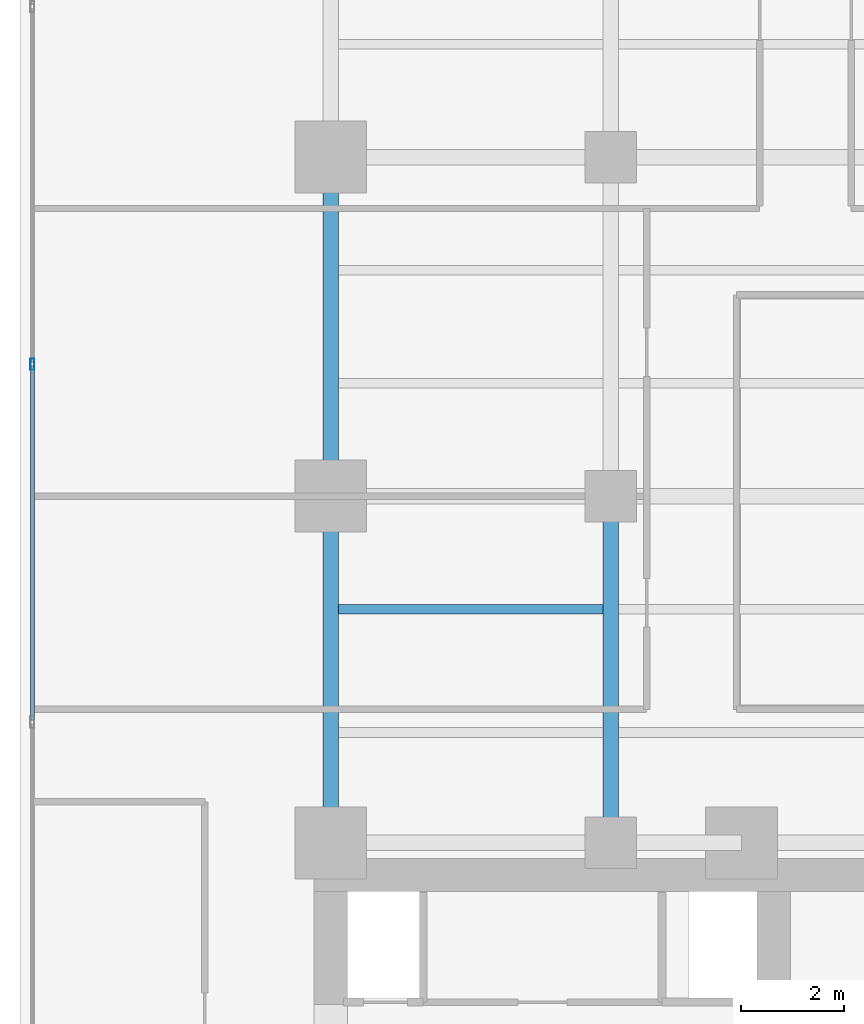
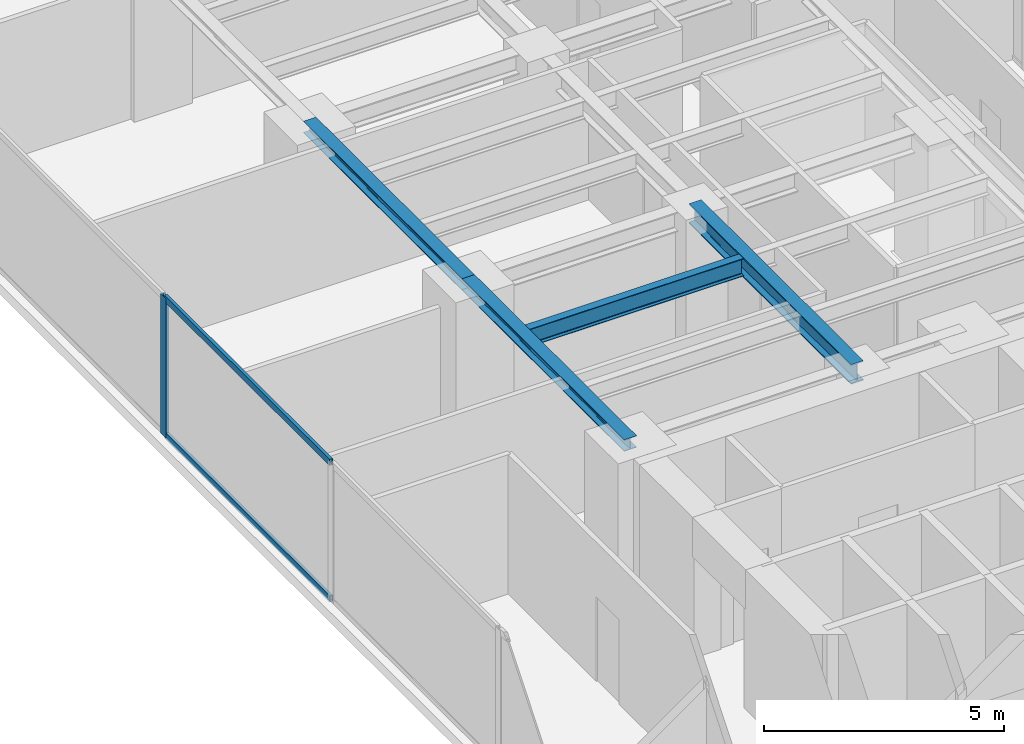
# One storey, part 7 of 26: 4 beams, 3 members, 1 element without a shape of its own.
"""IFC4 building model written with IfcOpenShell, lengths in metres."""

from ifc_helpers import new_model, si_unit, direction, frame, origin, origin_with_axes, origin_2d, place, context, subcontext, project, spatial, hollow_rectangle, i_section, extrude, source, transform, mapped, material, layer, layer_set, material_profile, profile_set, type_object, element, aggregate, save


model = new_model("IFC4")

# Units and contexts
model_context = context("Model", 3, precision=1e-05, world=origin(), true_north=direction((0.0, 1.0)))
body_context = subcontext(model_context, "Body", "Model", "MODEL_VIEW")
ifc_project = project(units=[si_unit("LENGTHUNIT", "METRE"), si_unit("AREAUNIT", "SQUARE_METRE"), si_unit("VOLUMEUNIT", "CUBIC_METRE"), si_unit("PLANEANGLEUNIT", "RADIAN"), si_unit("MASSUNIT", "GRAM", prefix="KILO")], contexts=[model_context])

# Site, building, storey
site_placement = place(None, origin())
site = spatial("IfcSite", under=ifc_project, at=site_placement, CompositionType="ELEMENT")
building_placement = place(site_placement, origin())
building = spatial("IfcBuilding", under=site, at=building_placement, Name="Kolvaren Waterfront Exchange", CompositionType="ELEMENT")
storey_placement = place(building_placement, frame((0.0, 0.0, 125.89990234375)))
storey = spatial("IfcBuildingStorey", under=building, at=storey_placement, Name="L32", CompositionType="ELEMENT", Elevation=125.89990234375)

# Beams
ifc_material_1 = material(Name="Steel S355", Category="steel")
ifc_material_profile_1 = material_profile(ifc_material_1, i_section(OverallWidth=0.300048828125, OverallDepth=0.300048828125, WebThickness=0.010986328125, FlangeThickness=0.01904296875, FilletRadius=0.027099609375, at=origin_2d()), Name="HEB300")
ifc_profile_set_1 = profile_set([ifc_material_profile_1], Name="Steel S355")
beam_type_1 = type_object("IfcBeamType", Name="STR-BM-HEB300", PredefinedType="SPANDREL", material=ifc_profile_set_1)
beam_1_placement = place(storey_placement, frame((7.449951171875, 24.449951171875, 3.39013671875), z_axis=(0.0, 1.0, 0.0), x_axis=(-1.0, 0.0, 0.0)))
element("IfcBeam", 1, at=beam_1_placement, inside=storey, type_object=beam_type_1, Name="L32 north-arm edge beam 1", PredefinedType="SPANDREL", context=body_context, shape_type="SweptSolid", body=[
    extrude(i_section(OverallWidth=0.300048828125, OverallDepth=0.300048828125, WebThickness=0.010986328125, FlangeThickness=0.01904296875, FilletRadius=0.027099609375, at=origin_2d()), origin(), (0.0, 0.0, 1.0), 6.75),
])
beam_2_placement = place(storey_placement, frame((7.449951171875, 31.199951171875, 3.39013671875), z_axis=(0.0, 1.0, 0.0), x_axis=(-1.0, 0.0, 0.0)))
element("IfcBeam", 2, at=beam_2_placement, inside=storey, type_object=beam_type_1, Name="L32 north-arm edge beam 2", PredefinedType="SPANDREL", context=body_context, shape_type="SweptSolid", body=[
    extrude(i_section(OverallWidth=0.300048828125, OverallDepth=0.300048828125, WebThickness=0.010986328125, FlangeThickness=0.01904296875, FilletRadius=0.027099609375, at=origin_2d()), origin(), (0.0, 0.0, 1.0), 6.60009765625),
])
ifc_material_profile_2 = material_profile(ifc_material_1, i_section(OverallWidth=0.300048828125, OverallDepth=0.5, WebThickness=0.014404296875, FlangeThickness=0.028076171875, FilletRadius=0.027099609375, at=origin_2d()), Name="HEB500")
ifc_profile_set_2 = profile_set([ifc_material_profile_2], Name="Steel S355")
beam_type_2 = type_object("IfcBeamType", Name="STR-BM-HEB500", PredefinedType="BEAM", material=ifc_profile_set_2)
beam_3_placement = place(storey_placement, frame((12.89990234375, 24.449951171875, 3.2900390625), z_axis=(0.0, 1.0, 0.0), x_axis=(-1.0, 0.0, 0.0)))
element("IfcBeam", 3, at=beam_3_placement, inside=storey, type_object=beam_type_2, Name="L32 north-arm edge beam 1", PredefinedType="BEAM", context=body_context, shape_type="SweptSolid", body=[
    extrude(i_section(OverallWidth=0.300048828125, OverallDepth=0.5, WebThickness=0.014404296875, FlangeThickness=0.028076171875, FilletRadius=0.027099609375, at=origin_2d()), origin(), (0.0, 0.0, 1.0), 6.75),
])
ifc_material_profile_3 = material_profile(ifc_material_1, i_section(OverallWidth=0.18994140625, OverallDepth=0.449951171875, WebThickness=0.009521484375, FlangeThickness=0.0146484375, FilletRadius=0.02099609375, at=origin_2d()), Name="IPE450")
ifc_profile_set_3 = profile_set([ifc_material_profile_3], Name="Steel S355")
beam_type_3 = type_object("IfcBeamType", Name="STR-BM-IPE450", PredefinedType="JOIST", material=ifc_profile_set_3)
beam_4_placement = place(storey_placement, frame((7.60205078125, 29.0, 3.315185546875), z_axis=(1.0, 0.0, 0.0), x_axis=(0.0, 1.0, 0.0)))
element("IfcBeam", 4, at=beam_4_placement, inside=storey, type_object=beam_type_3, Name="L32 north-arm composite joist 2A", PredefinedType="JOIST", context=body_context, shape_type="SweptSolid", body=[
    extrude(i_section(OverallWidth=0.18994140625, OverallDepth=0.449951171875, WebThickness=0.009521484375, FlangeThickness=0.0146484375, FilletRadius=0.02099609375, at=origin_2d()), origin(), (0.0, 0.0, 1.0), 5.14599609375),
])

# Curtain wall, members
ifc_material_2 = material(Name="Anodised aluminium 6063-T6", Category="aluminium")
ifc_layer = layer(ifc_material_2, 0.219970703125, Name="Anodised aluminium 6063-T6")
ifc_layer_set = layer_set([ifc_layer], Name="Anodised aluminium 6063-T6")
curtain_wall_type = type_object("IfcCurtainWallType", Name="ARC-CW-SYS2", PredefinedType="USERDEFINED", material=ifc_layer_set)
curtain_wall_placement = place(storey_placement, origin())
curtain_wall = element("IfcCurtainWall", 5, at=curtain_wall_placement, inside=storey, type_object=curtain_wall_type, Name="L32 stick curtain wall CW2 (CW-L32-W)", ObjectType="STICK CURTAIN WALL", PredefinedType="USERDEFINED")
ifc_material_profile_4 = material_profile(ifc_material_2, hollow_rectangle(XDim=0.080078125, YDim=0.219970703125, WallThickness=0.0048828125, at=origin_2d()), Name="ALU-MUL-220x80x5")
ifc_profile_set_4 = profile_set([ifc_material_profile_4], Name="Anodised aluminium 6063-T6")
member_type_1 = type_object("IfcMemberType", Name="ARC-CWM-220", PredefinedType="MULLION", material=ifc_profile_set_4)
shared_shape_1 = source(origin_with_axes(), body_context, "Body", "SweptSolid", [
    extrude(hollow_rectangle(XDim=0.080078125, YDim=0.219970703125, WallThickness=0.0048828125, at=origin_2d()), origin(), (0.0, 0.0, 1.0), 3.5400390625),
])
member_1_placement = place(storey_placement, frame((1.639892578125, 33.7666015625, 0.0), z_axis=(0.0, 0.0, 1.0), x_axis=(-1.0, 0.0, 0.0)))
member_1 = element("IfcMember", 6, at=member_1_placement, type_object=member_type_1, Name="CW2 mullion 5", PredefinedType="MULLION", context=body_context, shape_type="MappedRepresentation", body=[
    mapped(shared_shape_1, transform((0.0, 0.0, 0.0), x_axis=(1.0, 0.0, 0.0), y_axis=(0.0, 1.0, 0.0), z_axis=(0.0, 0.0, 1.0), scale=1.0)),
])
ifc_material_profile_5 = material_profile(ifc_material_2, hollow_rectangle(XDim=0.074951171875, YDim=0.159912109375, WallThickness=0.00439453125, at=origin_2d()), Name="ALU-TRN-160x75x4.5")
ifc_profile_set_5 = profile_set([ifc_material_profile_5], Name="Anodised aluminium 6063-T6")
member_type_2 = type_object("IfcMemberType", Name="ARC-CWT-160", PredefinedType="USERDEFINED", material=ifc_profile_set_5)
shared_shape_2 = source(origin_with_axes(), body_context, "Body", "SweptSolid", [
    extrude(hollow_rectangle(XDim=0.074951171875, YDim=0.159912109375, WallThickness=0.00439453125, at=origin_2d()), origin(), (0.0, 0.0, 1.0), 6.886474609375),
])
member_2_placement = place(storey_placement, frame((1.639892578125, 26.840087890625, 0.03759765625), z_axis=(0.0, 1.0, 0.0), x_axis=(-1.0, 0.0, 0.0)))
member_2 = element("IfcMember", 7, at=member_2_placement, type_object=member_type_2, Name="CW2 transom 4.1", ObjectType="TRANSOM", PredefinedType="USERDEFINED", context=body_context, shape_type="MappedRepresentation", body=[
    mapped(shared_shape_2, transform((0.0, 0.0, 0.0), x_axis=(1.0, 0.0, 0.0), y_axis=(0.0, 1.0, 0.0), z_axis=(0.0, 0.0, 1.0), scale=1.0)),
])
member_3_placement = place(storey_placement, frame((1.639892578125, 26.840087890625, 3.502685546875), z_axis=(0.0, 1.0, 0.0), x_axis=(-1.0, 0.0, 0.0)))
member_3 = element("IfcMember", 8, at=member_3_placement, type_object=member_type_2, Name="CW2 transom 4.2", ObjectType="TRANSOM", PredefinedType="USERDEFINED", context=body_context, shape_type="MappedRepresentation", body=[
    mapped(shared_shape_2, transform((0.0, 0.0, 0.0), x_axis=(1.0, 0.0, 0.0), y_axis=(0.0, 1.0, 0.0), z_axis=(0.0, 0.0, 1.0), scale=1.0)),
])
aggregate(curtain_wall, [member_1, member_2, member_3])

save(model, "model.ifc")
